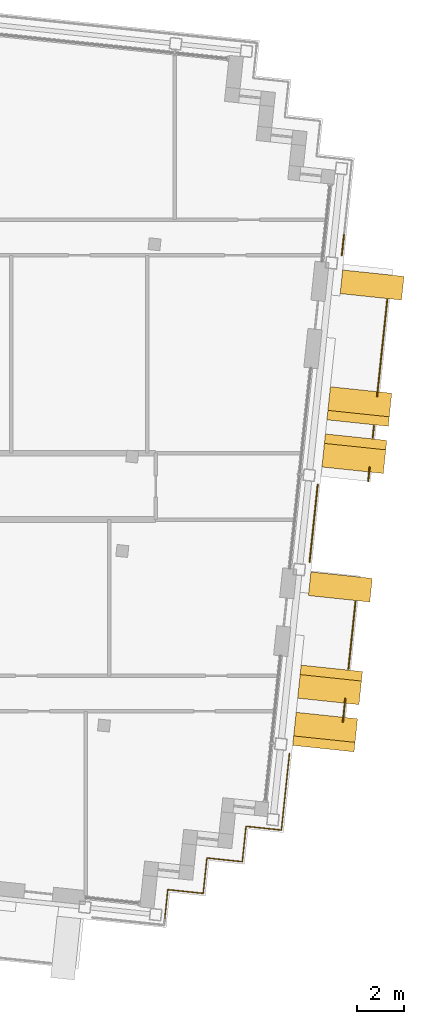
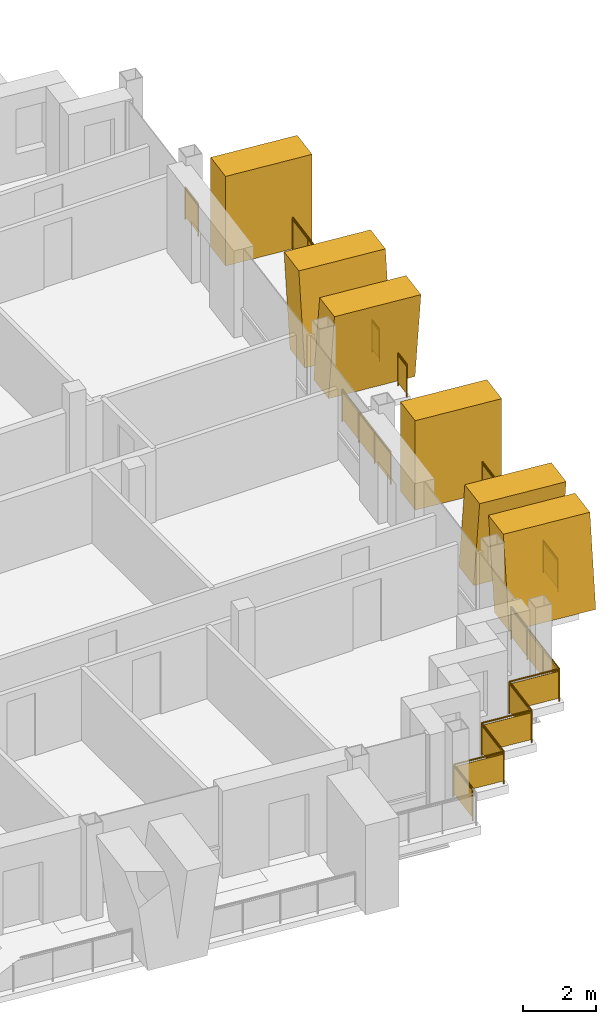
# One storey, part 14 of 16: 8 railings, 6 shading devices.
"""IFC4 building model written with IfcOpenShell, lengths in metres."""

from ifc_helpers import new_model, si_unit, direction, frame, origin, origin_2d, place, context, subcontext, project, spatial, polyline, rectangle, circle, outline, extrude, material, layer, layer_set, type_object, element, save


model = new_model("IFC4")

# Units and contexts
model_context = context("Model", 3, precision=1e-05, world=origin(), true_north=direction((0.0, 1.0)))
body_context = subcontext(model_context, "Body", "Model", "MODEL_VIEW")
ifc_project = project(units=[si_unit("LENGTHUNIT", "METRE"), si_unit("AREAUNIT", "SQUARE_METRE"), si_unit("VOLUMEUNIT", "CUBIC_METRE"), si_unit("PLANEANGLEUNIT", "RADIAN"), si_unit("MASSUNIT", "GRAM", prefix="KILO")], contexts=[model_context])

# Site, building, storey
site_placement = place(None, origin())
site = spatial("IfcSite", under=ifc_project, at=site_placement, CompositionType="ELEMENT")
building_placement = place(site_placement, origin())
building = spatial("IfcBuilding", under=site, at=building_placement, Name="Vidyagriha Tower", CompositionType="ELEMENT")
storey_placement = place(building_placement, frame((0.0, 0.0, 272.300048828125)))
storey = spatial("IfcBuildingStorey", under=building, at=storey_placement, Name="L71", CompositionType="ELEMENT", Elevation=272.300048828125)

# Railings
ifc_material_1 = material(Name="Steel ASTM A500 Grade C black painted", Category="steel")
railing_type_1 = type_object("IfcRailingType", Name="Balcony guard 1100", PredefinedType="BALUSTRADE", material=ifc_material_1)
railing_1_placement = place(storey_placement, frame((32.888427734375, -9.927978515625, 0.0)))
element("IfcRailing", 1, at=railing_1_placement, inside=storey, type_object=railing_type_1, Name="Balcony guard L71 R28.1-1", PredefinedType="BALUSTRADE", context=body_context, shape_type="SweptSolid", body=[
    extrude(circle(Radius=0.02490234375, at=origin_2d()), frame((0.0, 0.0, 1.0751953125), z_axis=(0.104467261141, 0.994528326067, 0.0), x_axis=(-0.994528326067, 0.104467261141, 0.0)), (0.0, 0.0, 1.0), 0.9931640625),
    extrude(circle(Radius=0.02001953125, at=origin_2d()), origin(), (0.0, 0.0, 1.0), 1.050048828125),
    extrude(circle(Radius=0.02001953125, at=origin_2d()), frame((0.103759765625, 0.98779296875, 0.0)), (0.0, 0.0, 1.0), 1.050048828125),
    extrude(rectangle(XDim=0.010009765625, YDim=0.900146484375, at=origin_2d()), frame((0.0, 0.0, 0.550048828125), z_axis=(0.104467261141, 0.994528326067, 0.0), x_axis=(-0.994528326067, 0.104467261141, 0.0)), (0.0, 0.0, 1.0), 0.9931640625),
])
railing_2_placement = place(storey_placement, frame((33.123046875, -7.693603515625, 0.0)))
element("IfcRailing", 2, at=railing_2_placement, inside=storey, type_object=railing_type_1, Name="Balcony guard L71 R28.1-2", PredefinedType="BALUSTRADE", context=body_context, shape_type="SweptSolid", body=[
    extrude(circle(Radius=0.02490234375, at=origin_2d()), frame((0.0, 0.0, 1.0751953125), z_axis=(0.104600055429, 0.994514368124, 0.0), x_axis=(-0.994514368124, 0.104600055429, 0.0)), (0.0, 0.0, 1.0), 2.849853515625),
    extrude(circle(Radius=0.02001953125, at=origin_2d()), origin(), (0.0, 0.0, 1.0), 1.050048828125),
    extrude(circle(Radius=0.02001953125, at=origin_2d()), frame((0.099365234375, 0.94482421875, 0.0)), (0.0, 0.0, 1.0), 1.050048828125),
    extrude(circle(Radius=0.02001953125, at=origin_2d()), frame((0.19873046875, 1.889404296875, 0.0)), (0.0, 0.0, 1.0), 1.050048828125),
    extrude(circle(Radius=0.02001953125, at=origin_2d()), frame((0.298095703125, 2.834228515625, 0.0)), (0.0, 0.0, 1.0), 1.050048828125),
    extrude(rectangle(XDim=0.010009765625, YDim=0.900146484375, at=origin_2d()), frame((0.0, 0.0, 0.550048828125), z_axis=(0.104600055429, 0.994514368124, 0.0), x_axis=(-0.994514368124, 0.104600055429, 0.0)), (0.0, 0.0, 1.0), 2.849853515625),
])
railing_3_placement = place(storey_placement, frame((33.9541015625, 0.212646484375, 0.0)))
element("IfcRailing", 3, at=railing_3_placement, inside=storey, type_object=railing_type_1, Name="Balcony guard L71 R28.2-1", PredefinedType="BALUSTRADE", context=body_context, shape_type="SweptSolid", body=[
    extrude(circle(Radius=0.02490234375, at=origin_2d()), frame((0.0, 0.0, 1.0751953125), z_axis=(0.10472737475, 0.994500968817, 0.0), x_axis=(-0.994500968817, 0.10472737475, 0.0)), (0.0, 0.0, 1.0), 0.5966796875),
    extrude(circle(Radius=0.02001953125, at=origin_2d()), origin(), (0.0, 0.0, 1.0), 1.050048828125),
    extrude(circle(Radius=0.02001953125, at=origin_2d()), frame((0.0625, 0.593505859375, 0.0)), (0.0, 0.0, 1.0), 1.050048828125),
    extrude(rectangle(XDim=0.010009765625, YDim=0.900146484375, at=origin_2d()), frame((0.0, 0.0, 0.550048828125), z_axis=(0.10472737475, 0.994500968817, 0.0), x_axis=(-0.994500968817, 0.10472737475, 0.0)), (0.0, 0.0, 1.0), 0.5966796875),
])
railing_4_placement = place(storey_placement, frame((34.1474609375, 2.052490234375, 0.0)))
element("IfcRailing", 4, at=railing_4_placement, inside=storey, type_object=railing_type_1, Name="Balcony guard L71 R28.2-2", PredefinedType="BALUSTRADE", context=body_context, shape_type="SweptSolid", body=[
    extrude(circle(Radius=0.02490234375, at=origin_2d()), frame((0.0, 0.0, 1.0751953125), z_axis=(0.104481464157, 0.994526834051, 0.0), x_axis=(-0.994526834051, 0.104481464157, 0.0)), (0.0, 0.0, 1.0), 0.5),
    extrude(circle(Radius=0.02001953125, at=origin_2d()), origin(), (0.0, 0.0, 1.0), 1.050048828125),
    extrude(circle(Radius=0.02001953125, at=origin_2d()), frame((0.05224609375, 0.497314453125, 0.0)), (0.0, 0.0, 1.0), 1.050048828125),
    extrude(rectangle(XDim=0.010009765625, YDim=0.900146484375, at=origin_2d()), frame((0.0, 0.0, 0.550048828125), z_axis=(0.104481464157, 0.994526834051, 0.0), x_axis=(-0.994526834051, 0.104481464157, 0.0)), (0.0, 0.0, 1.0), 0.5),
])
railing_5_placement = place(storey_placement, frame((34.330810546875, 3.79638671875, 0.0)))
element("IfcRailing", 5, at=railing_5_placement, inside=storey, type_object=railing_type_1, Name="Balcony guard L71 R28.2-3", PredefinedType="BALUSTRADE", context=body_context, shape_type="SweptSolid", body=[
    extrude(circle(Radius=0.02490234375, at=origin_2d()), frame((0.0, 0.0, 1.0751953125), z_axis=(0.104529672907, 0.994521768229, 0.0), x_axis=(-0.994521768229, 0.104529672907, 0.0)), (0.0, 0.0, 1.0), 4.0966796875),
    extrude(circle(Radius=0.02001953125, at=origin_2d()), origin(), (0.0, 0.0, 1.0), 1.050048828125),
    extrude(circle(Radius=0.02001953125, at=origin_2d()), frame((0.10693359375, 1.0185546875, 0.0)), (0.0, 0.0, 1.0), 1.050048828125),
    extrude(circle(Radius=0.02001953125, at=origin_2d()), frame((0.214111328125, 2.037109375, 0.0)), (0.0, 0.0, 1.0), 1.050048828125),
    extrude(circle(Radius=0.02001953125, at=origin_2d()), frame((0.3212890625, 3.0556640625, 0.0)), (0.0, 0.0, 1.0), 1.050048828125),
    extrude(circle(Radius=0.02001953125, at=origin_2d()), frame((0.42822265625, 4.07421875, 0.0)), (0.0, 0.0, 1.0), 1.050048828125),
    extrude(rectangle(XDim=0.010009765625, YDim=0.900146484375, at=origin_2d()), frame((0.0, 0.0, 0.550048828125), z_axis=(0.104529672907, 0.994521768229, 0.0), x_axis=(-0.994521768229, 0.104529672907, 0.0)), (0.0, 0.0, 1.0), 4.0966796875),
])

# Shading devices
ifc_material_2 = material(Name="Precast concrete C40/50 with buff brick facing", Category="concrete")
ifc_layer_1 = layer(ifc_material_2, 1.0)
ifc_layer_set_1 = layer_set([ifc_layer_1], Name="Precast concrete C40/50 with buff brick facing")
shading_device_type_1 = type_object("IfcShadingDeviceType", Name="Brick-faced blade fin arm leaning 8 degrees", PredefinedType="USERDEFINED", material=ifc_layer_set_1)
shading_device_1_placement = place(storey_placement, frame((32.275390625, -9.0625, 0.0), z_axis=(0.0, 0.0, 1.0), x_axis=(0.104648468085, 0.994509275033, 0.0)))
element("IfcShadingDevice", 6, at=shading_device_1_placement, inside=storey, type_object=shading_device_type_1, Name="Leaning blade fin L71 R28.250a", ObjectType="BLADE FIN", PredefinedType="USERDEFINED", context=body_context, shape_type="SweptSolid", body=[
    extrude(outline(polyline([(0.39990234375, 0.0), (1.39990234375, 0.0), (1.0, 3.0), (0.0, 3.0), (0.39990234375, 0.0)])), frame((0.0, 1.300048828125, 0.0), z_axis=(0.0, -1.0, 0.0), x_axis=(1.0, 0.0, 0.0)), (0.0, 0.0, 1.0), 2.60009765625),
])
for number, where, z_axis, x_axis, name in (
    (7, (32.06640625, -11.0517578125, 0.0), (0.0, 0.0, 1.0), (0.104439726433, 0.994531217983, 0.0), "Leaning blade fin L71 R28.250b"),
    (8, (33.5087890625, 2.672607421875, 0.0), (0.0, 0.0, 1.0), (0.104612176701, 0.99451309317, 0.0), "Leaning blade fin L71 R28.1390a"),
):
    element("IfcShadingDevice", number, at=place(storey_placement, frame(where, z_axis=z_axis, x_axis=x_axis)), inside=storey, type_object=shading_device_type_1, Name=name, ObjectType="BLADE FIN", PredefinedType="USERDEFINED", context=body_context, shape_type="SweptSolid", body=[
        extrude(outline(polyline([(0.0, 0.0), (1.0, 0.0), (1.39990234375, 3.0), (0.39990234375, 3.0), (0.0, 0.0)])), frame((0.0, 1.300048828125, 0.0), z_axis=(0.0, -1.0, 0.0), x_axis=(1.0, 0.0, 0.0)), (0.0, 0.0, 1.0), 2.60009765625),
    ])
shading_device_2_placement = place(storey_placement, frame((33.2998046875, 0.68359375, 0.0), z_axis=(0.0, 0.0, 1.0), x_axis=(0.104457839748, 0.994529315664, 0.0)))
element("IfcShadingDevice", 9, at=shading_device_2_placement, inside=storey, type_object=shading_device_type_1, Name="Leaning blade fin L71 R28.1390b", ObjectType="BLADE FIN", PredefinedType="USERDEFINED", context=body_context, shape_type="SweptSolid", body=[
    extrude(outline(polyline([(0.39990234375, 0.0), (1.39990234375, 0.0), (1.0, 3.0), (0.0, 3.0), (0.39990234375, 0.0)])), frame((0.0, 1.300048828125, 0.0), z_axis=(0.0, -1.0, 0.0), x_axis=(1.0, 0.0, 0.0)), (0.0, 0.0, 1.0), 2.60009765625),
])
ifc_material_3 = material(Name="Precast concrete C40/50 with buff brick facing", Category="concrete")
ifc_layer_2 = layer(ifc_material_3, 1.0)
ifc_layer_set_2 = layer_set([ifc_layer_2], Name="Precast concrete C40/50 with buff brick facing")
shading_device_type_2 = type_object("IfcShadingDeviceType", Name="Brick-faced blade fin stem 1000", PredefinedType="USERDEFINED", material=ifc_layer_set_2)
for number, where, z_axis, x_axis, name in (
    (10, (32.72998046875, -4.736328125, 0.0), (0.0, 0.0, 1.0), (0.104748335039, 0.99449876134, 0.0), "Stem blade fin L71 R28.990a"),
    (11, (34.068115234375, 7.993408203125, 0.0), (0.0, 0.0, 1.0), (0.104481464157, 0.994526834051, 0.0), "Stem blade fin L71 R28.2290a"),
):
    element("IfcShadingDevice", number, at=place(storey_placement, frame(where, z_axis=z_axis, x_axis=x_axis)), inside=storey, type_object=shading_device_type_2, Name=name, ObjectType="BLADE FIN", PredefinedType="USERDEFINED", context=body_context, shape_type="SweptSolid", body=[
        extrude(outline(polyline([(0.0, 0.0), (1.0, 0.0), (1.0, 3.0), (0.0, 3.0), (0.0, 0.0)])), frame((0.0, 1.300048828125, 0.0), z_axis=(0.0, -1.0, 0.0), x_axis=(1.0, 0.0, 0.0)), (0.0, 0.0, 1.0), 2.60009765625),
    ])

# Railings
ifc_material_4 = material(Name="Steel ASTM A500 Grade C black painted", Category="steel")
railing_type_2 = type_object("IfcRailingType", Name="Gallery guard 1100", PredefinedType="GUARDRAIL", material=ifc_material_4)
railing_6_placement = place(storey_placement, frame((32.93603515625, 10.615966796875, 0.0)))
element("IfcRailing", 12, at=railing_6_placement, inside=storey, type_object=railing_type_2, Name="Gallery guard L71 10", PredefinedType="GUARDRAIL", context=body_context, shape_type="SweptSolid", body=[
    extrude(circle(Radius=0.02490234375, at=origin_2d()), frame((0.0, 0.0, 1.0751953125), z_axis=(-0.104612561624, -0.99451305268, 0.0), x_axis=(0.99451305268, -0.104612561624, 0.0)), (0.0, 0.0, 1.0), 0.8798828125),
    extrude(circle(Radius=0.02001953125, at=origin_2d()), origin(), (0.0, 0.0, 1.0), 1.050048828125),
    extrude(circle(Radius=0.02001953125, at=origin_2d()), frame((-0.092041015625, -0.875, 0.0)), (0.0, 0.0, 1.0), 1.050048828125),
    extrude(rectangle(XDim=0.010009765625, YDim=0.900146484375, at=origin_2d()), frame((0.0, 0.0, 0.550048828125), z_axis=(-0.104612561624, -0.99451305268, 0.0), x_axis=(0.99451305268, -0.104612561624, 0.0)), (0.0, 0.0, 1.0), 0.8798828125),
])
railing_7_placement = place(storey_placement, frame((30.636474609375, -11.263427734375, 0.0)))
element("IfcRailing", 13, at=railing_7_placement, inside=storey, type_object=railing_type_2, Name="Gallery guard L71 11", PredefinedType="GUARDRAIL", context=body_context, shape_type="SweptSolid", body=[
    extrude(circle(Radius=0.02490234375, at=origin_2d()), frame((0.0, 0.0, 1.0751953125), z_axis=(-0.104590643799, -0.994515357966, 0.0), x_axis=(0.994515357966, -0.104590643799, 0.0)), (0.0, 0.0, 1.0), 3.239990234375),
    extrude(circle(Radius=0.02490234375, at=origin_2d()), frame((-0.3388671875, -3.22216796875, 1.0751953125), z_axis=(-0.994525057048, 0.104498377516, 0.0), x_axis=(-0.104498377516, -0.994525057048, 0.0)), (0.0, 0.0, 1.0), 1.5),
    extrude(circle(Radius=0.02490234375, at=origin_2d()), frame((-1.83056640625, -3.0654296875, 1.0751953125), z_axis=(-0.104498377516, -0.994525057048, 0.0), x_axis=(0.994525057048, -0.104498377516, 0.0)), (0.0, 0.0, 1.0), 1.5),
    extrude(circle(Radius=0.02490234375, at=origin_2d()), frame((-1.9873046875, -4.55712890625, 1.0751953125), z_axis=(-0.994525057048, 0.104498377516, 0.0), x_axis=(-0.104498377516, -0.994525057048, 0.0)), (0.0, 0.0, 1.0), 1.5),
    extrude(circle(Radius=0.02490234375, at=origin_2d()), frame((-3.47900390625, -4.400390625, 1.0751953125), z_axis=(-0.104659366031, -0.994508128223, 0.0), x_axis=(0.994508128223, -0.104659366031, 0.0)), (0.0, 0.0, 1.0), 1.5),
    extrude(circle(Radius=0.02490234375, at=origin_2d()), frame((-3.635986328125, -5.89208984375, 1.0751953125), z_axis=(-0.994525057048, 0.104498377516, 0.0), x_axis=(-0.104498377516, -0.994525057048, 0.0)), (0.0, 0.0, 1.0), 1.5),
    extrude(circle(Radius=0.02490234375, at=origin_2d()), frame((-5.127685546875, -5.7353515625, 1.0751953125), z_axis=(-0.104432637393, -0.994531962406, 0.0), x_axis=(0.994531962406, -0.104432637393, 0.0)), (0.0, 0.0, 1.0), 1.260009765625),
    extrude(circle(Radius=0.02001953125, at=origin_2d()), origin(), (0.0, 0.0, 1.0), 1.050048828125),
    extrude(circle(Radius=0.02001953125, at=origin_2d()), frame((-0.113037109375, -1.073974609375, 0.0)), (0.0, 0.0, 1.0), 1.050048828125),
    extrude(circle(Radius=0.02001953125, at=origin_2d()), frame((-0.225830078125, -2.148193359375, 0.0)), (0.0, 0.0, 1.0), 1.050048828125),
    extrude(circle(Radius=0.02001953125, at=origin_2d()), frame((-0.3388671875, -3.22216796875, 0.0)), (0.0, 0.0, 1.0), 1.050048828125),
    extrude(circle(Radius=0.02001953125, at=origin_2d()), frame((-1.83056640625, -3.0654296875, 0.0)), (0.0, 0.0, 1.0), 1.050048828125),
    extrude(circle(Radius=0.02001953125, at=origin_2d()), frame((-1.9873046875, -4.55712890625, 0.0)), (0.0, 0.0, 1.0), 1.050048828125),
    extrude(circle(Radius=0.02001953125, at=origin_2d()), frame((-3.47900390625, -4.400390625, 0.0)), (0.0, 0.0, 1.0), 1.050048828125),
    extrude(circle(Radius=0.02001953125, at=origin_2d()), frame((-3.635986328125, -5.89208984375, 0.0)), (0.0, 0.0, 1.0), 1.050048828125),
    extrude(circle(Radius=0.02001953125, at=origin_2d()), frame((-5.127685546875, -5.7353515625, 0.0)), (0.0, 0.0, 1.0), 1.050048828125),
    extrude(circle(Radius=0.02001953125, at=origin_2d()), frame((-5.25927734375, -6.988525390625, 0.0)), (0.0, 0.0, 1.0), 1.050048828125),
    extrude(rectangle(XDim=0.010009765625, YDim=0.900146484375, at=origin_2d()), frame((0.0, 0.0, 0.550048828125), z_axis=(-0.104590643799, -0.994515357966, 0.0), x_axis=(0.994515357966, -0.104590643799, 0.0)), (0.0, 0.0, 1.0), 3.239990234375),
    extrude(rectangle(XDim=0.010009765625, YDim=0.900146484375, at=origin_2d()), frame((-0.3388671875, -3.22216796875, 0.550048828125), z_axis=(-0.994525057048, 0.104498377516, 0.0), x_axis=(-0.104498377516, -0.994525057048, 0.0)), (0.0, 0.0, 1.0), 1.5),
    extrude(rectangle(XDim=0.010009765625, YDim=0.900146484375, at=origin_2d()), frame((-1.83056640625, -3.0654296875, 0.550048828125), z_axis=(-0.104498377516, -0.994525057048, 0.0), x_axis=(0.994525057048, -0.104498377516, 0.0)), (0.0, 0.0, 1.0), 1.5),
    extrude(rectangle(XDim=0.010009765625, YDim=0.900146484375, at=origin_2d()), frame((-1.9873046875, -4.55712890625, 0.550048828125), z_axis=(-0.994525057048, 0.104498377516, 0.0), x_axis=(-0.104498377516, -0.994525057048, 0.0)), (0.0, 0.0, 1.0), 1.5),
    extrude(rectangle(XDim=0.010009765625, YDim=0.900146484375, at=origin_2d()), frame((-3.47900390625, -4.400390625, 0.550048828125), z_axis=(-0.104659366031, -0.994508128223, 0.0), x_axis=(0.994508128223, -0.104659366031, 0.0)), (0.0, 0.0, 1.0), 1.5),
    extrude(rectangle(XDim=0.010009765625, YDim=0.900146484375, at=origin_2d()), frame((-3.635986328125, -5.89208984375, 0.550048828125), z_axis=(-0.994525057048, 0.104498377516, 0.0), x_axis=(-0.104498377516, -0.994525057048, 0.0)), (0.0, 0.0, 1.0), 1.5),
    extrude(rectangle(XDim=0.010009765625, YDim=0.900146484375, at=origin_2d()), frame((-5.127685546875, -5.7353515625, 0.550048828125), z_axis=(-0.104432637393, -0.994531962406, 0.0), x_axis=(0.994531962406, -0.104432637393, 0.0)), (0.0, 0.0, 1.0), 1.260009765625),
])
railing_8_placement = place(storey_placement, frame((31.827880859375, 0.07421875, 0.0)))
element("IfcRailing", 14, at=railing_8_placement, inside=storey, type_object=railing_type_2, Name="Gallery guard L71 13", PredefinedType="GUARDRAIL", context=body_context, shape_type="SweptSolid", body=[
    extrude(circle(Radius=0.02490234375, at=origin_2d()), frame((0.0, 0.0, 1.0751953125), z_axis=(-0.104506547029, -0.994524198614, 0.0), x_axis=(0.994524198614, -0.104506547029, 0.0)), (0.0, 0.0, 1.0), 3.280029296875),
    extrude(circle(Radius=0.02001953125, at=origin_2d()), origin(), (0.0, 0.0, 1.0), 1.050048828125),
    extrude(circle(Radius=0.02001953125, at=origin_2d()), frame((-0.1142578125, -1.08740234375, 0.0)), (0.0, 0.0, 1.0), 1.050048828125),
    extrude(circle(Radius=0.02001953125, at=origin_2d()), frame((-0.228515625, -2.174560546875, 0.0)), (0.0, 0.0, 1.0), 1.050048828125),
    extrude(circle(Radius=0.02001953125, at=origin_2d()), frame((-0.3427734375, -3.261962890625, 0.0)), (0.0, 0.0, 1.0), 1.050048828125),
    extrude(rectangle(XDim=0.010009765625, YDim=0.900146484375, at=origin_2d()), frame((0.0, 0.0, 0.550048828125), z_axis=(-0.104506547029, -0.994524198614, 0.0), x_axis=(0.994524198614, -0.104506547029, 0.0)), (0.0, 0.0, 1.0), 3.280029296875),
])

save(model, "model.ifc")
